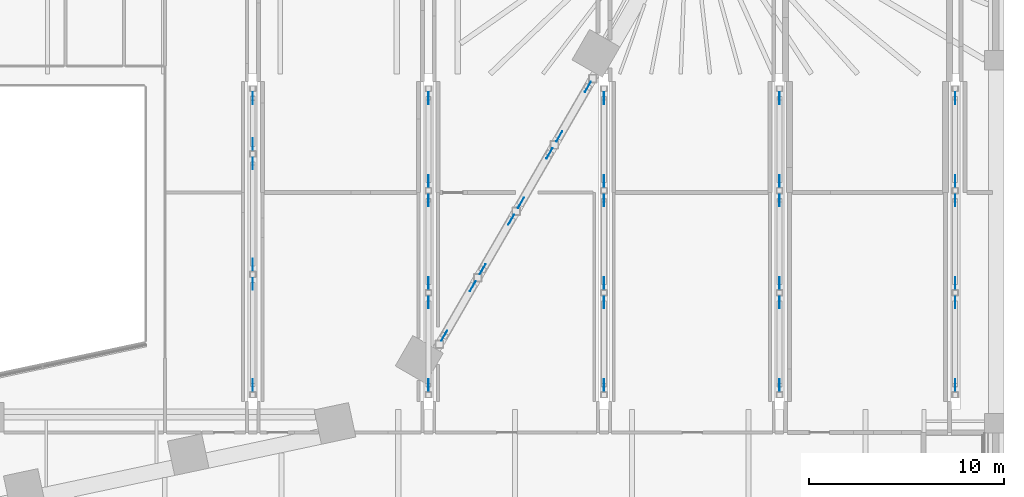
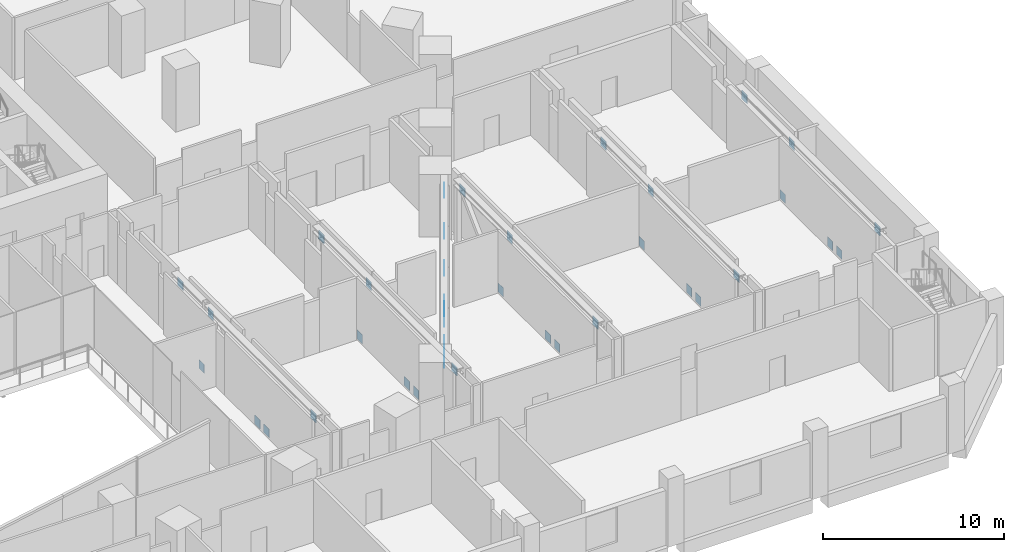
# One storey, part 27 of 32: 38 discrete accessories.
"""IFC4 building model written with IfcOpenShell, lengths in metres."""

from ifc_helpers import new_model, si_unit, direction, frame, origin, origin_2d, place, context, subcontext, project, spatial, rectangle, extrude, material, type_object, element, save


model = new_model("IFC4")

# Units and contexts
model_context = context("Model", 3, precision=1e-05, world=origin(), true_north=direction((0.0, 1.0)))
body_context = subcontext(model_context, "Body", "Model", "MODEL_VIEW")
ifc_project = project(units=[si_unit("LENGTHUNIT", "METRE"), si_unit("AREAUNIT", "SQUARE_METRE"), si_unit("VOLUMEUNIT", "CUBIC_METRE"), si_unit("PLANEANGLEUNIT", "RADIAN"), si_unit("MASSUNIT", "GRAM", prefix="KILO")], contexts=[model_context])

# Site, building, storey
site_placement = place(None, origin())
site = spatial("IfcSite", under=ifc_project, at=site_placement, CompositionType="ELEMENT")
building_placement = place(site_placement, origin())
building = spatial("IfcBuilding", under=site, at=building_placement, Name="Isthmus Gate Tower", CompositionType="ELEMENT")
storey_placement = place(building_placement, frame((0.0, 0.0, 18.0)))
storey = spatial("IfcBuildingStorey", under=building, at=storey_placement, Name="L02", CompositionType="ELEMENT", Elevation=18.0)

# Discrete accessories
ifc_material = material(Name="Structural steel ASTM A992 Gr 50", Category="steel")
discrete_accessory_type = type_object("IfcDiscreteAccessoryType", Name="GUSSET PLATE 600 X 20", PredefinedType="USERDEFINED", material=ifc_material)
for number, where, z_axis, x_axis, name in (
    (1, (29.208740234375, -12.60888671875, 0.198486328125), (0.0, 0.0, 1.0), (0.5, 0.866025403784, 0.0), "GUSSET PLATE"),
    (2, (30.67333984375, -10.072265625, 3.4013671875), (0.0, 0.0, 1.0), (0.5, 0.866025403784, 0.0), "GUSSET PLATE"),
    (3, (27.244384765625, -16.011474609375, 0.198486328125), (0.0, 0.0, 1.0), (0.5, 0.866025403784, 0.0), "GUSSET PLATE"),
    (4, (28.708740234375, -13.474853515625, 3.4013671875), (0.0, 0.0, 1.0), (0.5, 0.866025403784, 0.0), "GUSSET PLATE"),
    (5, (26.744384765625, -16.87744140625, 0.198486328125), (0.0, 0.0, 1.0), (-0.5, -0.866025403784, 0.0), "GUSSET PLATE"),
    (6, (25.27978515625, -19.4140625, 3.4013671875), (0.0, 0.0, 1.0), (-0.5, -0.866025403784, 0.0), "GUSSET PLATE"),
    (7, (24.77978515625, -20.280029296875, 0.198486328125), (0.0, 0.0, 1.0), (-0.5, -0.866025403784, 0.0), "GUSSET PLATE"),
    (8, (23.3154296875, -22.816650390625, 3.4013671875), (0.0, 0.0, 1.0), (-0.5, -0.866025403784, 0.0), "GUSSET PLATE"),
    (9, (13.5, -20.175048828125, -0.699951171875), (0.0, 0.0, 1.0), (0.0, -1.0, 0.0), "GUSSET PLATE"),
    (10, (13.5, -25.35009765625, 3.45556640625), (0.0, 0.0, 1.0), (0.0, -1.0, 0.0), "GUSSET PLATE"),
    (11, (13.5, -19.175048828125, -0.699951171875), (0.0, 0.0, 1.0), (0.0, 1.0, 0.0), "GUSSET PLATE"),
    (12, (13.5, -14.0, 3.45556640625), (0.0, 0.0, 1.0), (0.0, 1.0, 0.0), "GUSSET PLATE"),
    (13, (13.5, -13.0, -0.699951171875), (0.0, 0.0, 1.0), (0.0, 1.0, 0.0), "GUSSET PLATE"),
    (14, (13.5, -10.64990234375, 3.45556640625), (0.0, 0.0, 1.0), (0.0, 1.0, 0.0), "GUSSET PLATE"),
    (15, (22.5, -21.116943359375, -0.699951171875), (0.0, 0.0, 1.0), (0.0, -1.0, 0.0), "GUSSET PLATE"),
    (16, (22.5, -25.35009765625, 3.45556640625), (0.0, 0.0, 1.0), (0.0, -1.0, 0.0), "GUSSET PLATE"),
    (17, (22.5, -20.116943359375, -0.699951171875), (0.0, 0.0, 1.0), (0.0, 1.0, 0.0), "GUSSET PLATE"),
    (18, (22.5, -15.883056640625, 3.45556640625), (0.0, 0.0, 1.0), (0.0, 1.0, 0.0), "GUSSET PLATE"),
    (19, (22.5, -14.883056640625, -0.699951171875), (0.0, 0.0, 1.0), (0.0, 1.0, 0.0), "GUSSET PLATE"),
    (20, (22.5, -10.64990234375, 3.45556640625), (0.0, 0.0, 1.0), (0.0, 1.0, 0.0), "GUSSET PLATE"),
    (21, (31.5, -21.116943359375, -0.699951171875), (0.0, 0.0, 1.0), (0.0, -1.0, 0.0), "GUSSET PLATE"),
    (22, (31.5, -25.35009765625, 3.45556640625), (0.0, 0.0, 1.0), (0.0, -1.0, 0.0), "GUSSET PLATE"),
    (23, (31.5, -20.116943359375, -0.699951171875), (0.0, 0.0, 1.0), (0.0, 1.0, 0.0), "GUSSET PLATE"),
    (24, (31.5, -15.883056640625, 3.45556640625), (0.0, 0.0, 1.0), (0.0, 1.0, 0.0), "GUSSET PLATE"),
    (25, (31.5, -14.883056640625, -0.699951171875), (0.0, 0.0, 1.0), (0.0, 1.0, 0.0), "GUSSET PLATE"),
    (26, (31.5, -10.64990234375, 3.45556640625), (0.0, 0.0, 1.0), (0.0, 1.0, 0.0), "GUSSET PLATE"),
    (27, (40.5, -21.116943359375, -0.699951171875), (0.0, 0.0, 1.0), (0.0, -1.0, 0.0), "GUSSET PLATE"),
    (28, (40.5, -25.35009765625, 3.45556640625), (0.0, 0.0, 1.0), (0.0, -1.0, 0.0), "GUSSET PLATE"),
    (29, (40.5, -20.116943359375, -0.699951171875), (0.0, 0.0, 1.0), (0.0, 1.0, 0.0), "GUSSET PLATE"),
    (30, (40.5, -15.883056640625, 3.45556640625), (0.0, 0.0, 1.0), (0.0, 1.0, 0.0), "GUSSET PLATE"),
    (31, (40.5, -14.883056640625, -0.699951171875), (0.0, 0.0, 1.0), (0.0, 1.0, 0.0), "GUSSET PLATE"),
    (32, (40.5, -10.64990234375, 3.45556640625), (0.0, 0.0, 1.0), (0.0, 1.0, 0.0), "GUSSET PLATE"),
    (33, (49.5, -21.116943359375, -0.699951171875), (0.0, 0.0, 1.0), (0.0, -1.0, 0.0), "GUSSET PLATE"),
    (34, (49.5, -25.35009765625, 3.45556640625), (0.0, 0.0, 1.0), (0.0, -1.0, 0.0), "GUSSET PLATE"),
    (35, (49.5, -20.116943359375, -0.699951171875), (0.0, 0.0, 1.0), (0.0, 1.0, 0.0), "GUSSET PLATE"),
    (36, (49.5, -15.883056640625, 3.45556640625), (0.0, 0.0, 1.0), (0.0, 1.0, 0.0), "GUSSET PLATE"),
    (37, (49.5, -14.883056640625, -0.699951171875), (0.0, 0.0, 1.0), (0.0, 1.0, 0.0), "GUSSET PLATE"),
    (38, (49.5, -10.64990234375, 3.45556640625), (0.0, 0.0, 1.0), (0.0, 1.0, 0.0), "GUSSET PLATE"),
):
    element("IfcDiscreteAccessory", number, at=place(storey_placement, frame(where, z_axis=z_axis, x_axis=x_axis)), inside=storey, type_object=discrete_accessory_type, Name=name, ObjectType="GUSSET PLATE", PredefinedType="USERDEFINED", context=body_context, shape_type="SweptSolid", body=[
        extrude(rectangle(XDim=0.60009765625, YDim=0.02001953125, at=origin_2d()), origin(), (0.0, 0.0, 1.0), 0.60009765625),
    ])

save(model, "model.ifc")
